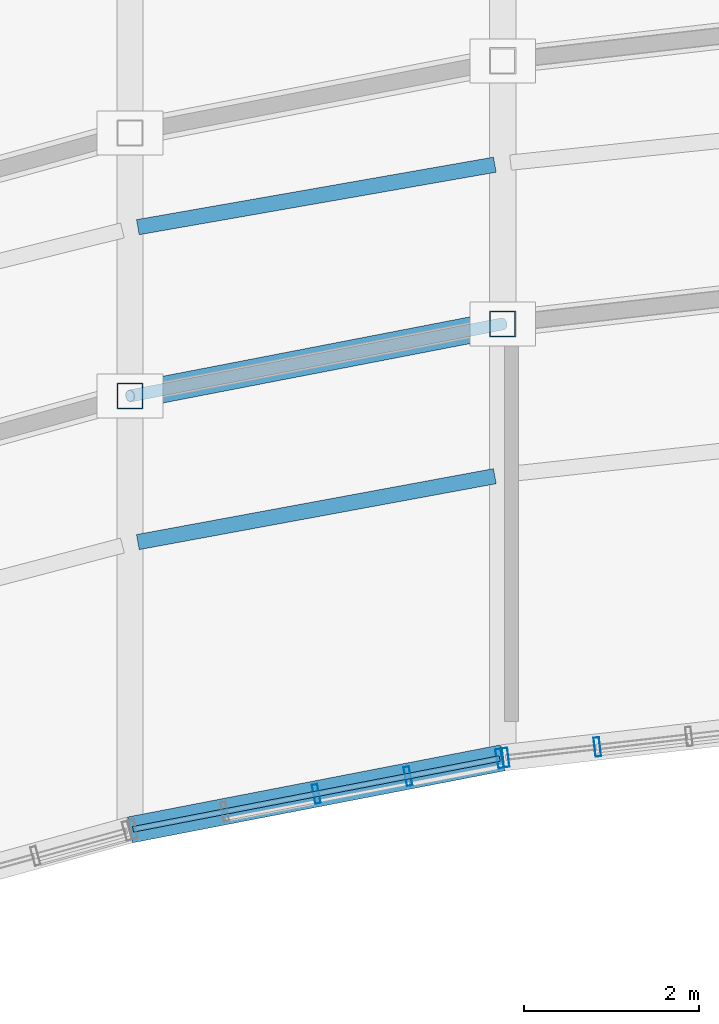
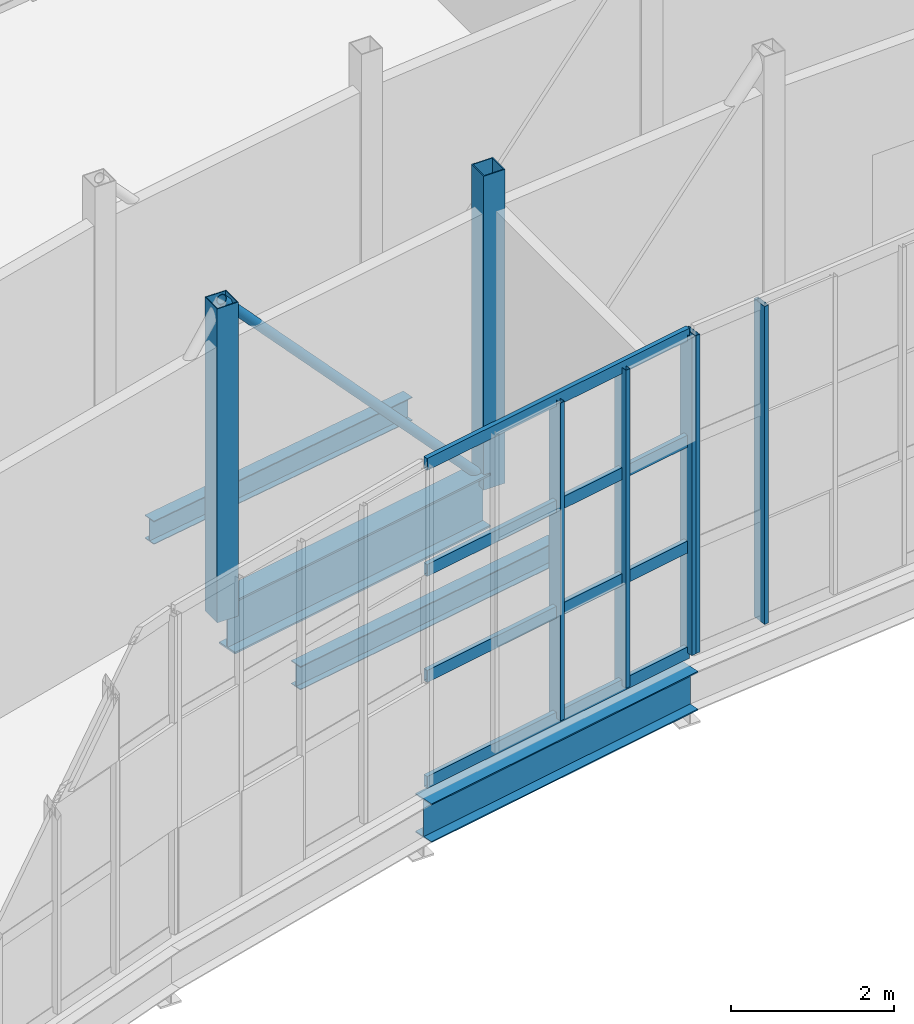
# One storey, part 36 of 86: 12 members, 4 beams, 2 elements without a shape of their own.
"""IFC4 building model written with IfcOpenShell, lengths in metres."""

from ifc_helpers import new_model, si_unit, direction, frame, origin, origin_2d, place, context, subcontext, project, spatial, hollow_rectangle, hollow_circle, i_section, extrude, material, material_profile, profile_set, type_object, element, aggregate, save


model = new_model("IFC4")

# Units and contexts
model_context = context("Model", 3, precision=1e-05, world=origin(), true_north=direction((0.0, 1.0)))
body_context = subcontext(model_context, "Body", "Model", "MODEL_VIEW")
ifc_project = project(units=[si_unit("LENGTHUNIT", "METRE"), si_unit("AREAUNIT", "SQUARE_METRE"), si_unit("VOLUMEUNIT", "CUBIC_METRE"), si_unit("PLANEANGLEUNIT", "RADIAN"), si_unit("MASSUNIT", "GRAM", prefix="KILO")], contexts=[model_context])

# Site, building, storey
site_placement = place(None, origin())
site = spatial("IfcSite", under=ifc_project, at=site_placement, CompositionType="ELEMENT")
building_placement = place(site_placement, origin())
building = spatial("IfcBuilding", under=site, at=building_placement, Name="Solvikara Media Centre", CompositionType="ELEMENT")
storey_placement = place(building_placement, frame((0.0, 0.0, 15.0)))
storey = spatial("IfcBuildingStorey", under=building, at=storey_placement, Name="L03", CompositionType="ELEMENT", Elevation=15.0)

# Beams
ifc_material_1 = material(Name="Steel S355JR", Category="steel")
ifc_material_profile_1 = material_profile(ifc_material_1, i_section(OverallWidth=0.300048828125, OverallDepth=0.800048828125, WebThickness=0.013916015625, FlangeThickness=0.02587890625, at=origin_2d()), Name="WF 800x300x14x26")
ifc_profile_set_1 = profile_set([ifc_material_profile_1], Name="Steel S355JR")
beam_type_1 = type_object("IfcBeamType", Name="BM-16", PredefinedType="BEAM", material=ifc_profile_set_1)
beam_1_placement = place(storey_placement, frame((89.337890625, 28.962890625, -0.6220703125), z_axis=(0.981801087979, 0.189912147171, 0.0), x_axis=(-0.189912147171, 0.981801087979, 0.0)))
element("IfcBeam", 1, at=beam_1_placement, inside=storey, type_object=beam_type_1, Name="B-L03-SPNS-03", PredefinedType="BEAM", context=body_context, shape_type="SweptSolid", body=[
    extrude(i_section(OverallWidth=0.300048828125, OverallDepth=0.800048828125, WebThickness=0.013916015625, FlangeThickness=0.02587890625, at=origin_2d()), origin(), (0.0, 0.0, 1.0), 4.149658203125),
])
ifc_material_profile_2 = material_profile(ifc_material_1, i_section(OverallWidth=0.175048828125, OverallDepth=0.35009765625, WebThickness=0.007080078125, FlangeThickness=0.010986328125, at=origin_2d()), Name="WF 350x175x7x11")
ifc_profile_set_2 = profile_set([ifc_material_profile_2], Name="Steel S355JR")
beam_type_2 = type_object("IfcBeamType", Name="BM-22", PredefinedType="JOIST", material=ifc_profile_set_2)
beam_2_placement = place(storey_placement, frame((89.339111328125, 27.279052734375, -0.39697265625), z_axis=(0.983371814175, 0.181603620797, 0.0), x_axis=(-0.181603620797, 0.983371814175, 0.0)))
element("IfcBeam", 2, at=beam_2_placement, inside=storey, type_object=beam_type_2, Name="BJ-L03-03-20", PredefinedType="JOIST", context=body_context, shape_type="SweptSolid", body=[
    extrude(i_section(OverallWidth=0.175048828125, OverallDepth=0.35009765625, WebThickness=0.007080078125, FlangeThickness=0.010986328125, at=origin_2d()), origin(), (0.0, 0.0, 1.0), 4.140625),
])
beam_3_placement = place(storey_placement, frame((89.339111328125, 30.87109375, -0.39697265625), z_axis=(0.985016925608, 0.172457694134, 0.0), x_axis=(-0.172457694134, 0.985016925608, 0.0)))
element("IfcBeam", 3, at=beam_3_placement, inside=storey, type_object=beam_type_2, Name="BJ-L03-03-42", PredefinedType="JOIST", context=body_context, shape_type="SweptSolid", body=[
    extrude(i_section(OverallWidth=0.175048828125, OverallDepth=0.35009765625, WebThickness=0.007080078125, FlangeThickness=0.010986328125, at=origin_2d()), origin(), (0.0, 0.0, 1.0), 4.1337890625),
])
ifc_material_profile_3 = material_profile(ifc_material_1, i_section(OverallWidth=0.300048828125, OverallDepth=0.58203125, WebThickness=0.011962890625, FlangeThickness=0.01708984375, at=origin_2d()), Name="WF 582x300x12x17")
ifc_profile_set_3 = profile_set([ifc_material_profile_3], Name="Steel S355JR")
beam_type_3 = type_object("IfcBeamType", Name="BM-31", PredefinedType="SPANDREL", material=ifc_profile_set_3)
beam_4_placement = place(storey_placement, frame((89.25, 23.99609375, -0.512939453125), z_axis=(0.981803941213, 0.189897396029, 0.0), x_axis=(-0.189897396029, 0.981803941213, 0.0)))
element("IfcBeam", 4, at=beam_4_placement, inside=storey, type_object=beam_type_3, Name="B-L03-SARC-03", PredefinedType="SPANDREL", context=body_context, shape_type="SweptSolid", body=[
    extrude(i_section(OverallWidth=0.300048828125, OverallDepth=0.58203125, WebThickness=0.011962890625, FlangeThickness=0.01708984375, at=origin_2d()), origin(), (0.0, 0.0, 1.0), 4.328857421875),
])

# Members
ifc_material_profile_4 = material_profile(ifc_material_1, hollow_circle(Radius=0.06982421875, WallThickness=0.00634765625, at=origin_2d()), Name="CHS 139.7x6.3")
ifc_profile_set_4 = profile_set([ifc_material_profile_4], Name="Steel S355JR")
member_type_1 = type_object("IfcMemberType", Name="MB-08", PredefinedType="BRACE", material=ifc_profile_set_4)
member_1_placement = place(storey_placement, frame((89.25, 28.946044921875, 4.25), z_axis=(0.665137067971, 0.128648696453, -0.735555704016), x_axis=(-0.189897396029, 0.981803941213, 0.0)))
element("IfcMember", 5, at=member_1_placement, inside=storey, type_object=member_type_1, Name="WTR-L03-S-DB03", PredefinedType="BRACE", context=body_context, shape_type="SweptSolid", body=[
    extrude(hollow_circle(Radius=0.06982421875, WallThickness=0.00634765625, at=origin_2d()), origin(), (0.0, 0.0, 1.0), 6.3896484375),
])
ifc_material_profile_5 = material_profile(ifc_material_1, hollow_rectangle(XDim=0.300048828125, YDim=0.300048828125, WallThickness=0.012451171875, at=origin_2d()), Name="RHS 300x300x12.5")
ifc_profile_set_5 = profile_set([ifc_material_profile_5], Name="Steel S355JR")
member_type_2 = type_object("IfcMemberType", Name="MB-11", PredefinedType="CHORD", material=ifc_profile_set_5)
for number, where, z_axis, x_axis, name in (
    (6, (89.25, 28.946044921875, -0.449951171875), (0.0, 0.0, 1.0), (1.0, 0.0, 0.0), "WTR-L03-S-V03"),
    (7, (93.5, 29.76806640625, -0.449951171875), (0.0, 0.0, 1.0), (1.0, 0.0, 0.0), "WTR-L03-S-V04"),
):
    element("IfcMember", number, at=place(storey_placement, frame(where, z_axis=z_axis, x_axis=x_axis)), inside=storey, type_object=member_type_2, Name=name, PredefinedType="CHORD", context=body_context, shape_type="SweptSolid", body=[
        extrude(hollow_rectangle(XDim=0.300048828125, YDim=0.300048828125, WallThickness=0.012451171875, at=origin_2d()), origin(), (0.0, 0.0, 1.0), 4.699951171875),
    ])

# Curtain wall, members
ifc_material_2 = material(Name="Anodised aluminium EN AW-6063", Category="aluminium")
curtain_wall_type = type_object("IfcCurtainWallType", Name="CW-01", PredefinedType="NOTDEFINED", material=ifc_material_2)
curtain_wall_1_placement = place(storey_placement, origin())
curtain_wall_1 = element("IfcCurtainWall", 8, at=curtain_wall_1_placement, inside=storey, type_object=curtain_wall_type, Name="CW-L03-SARC-03", PredefinedType="NOTDEFINED")
ifc_material_profile_6 = material_profile(ifc_material_2, hollow_rectangle(XDim=0.06494140625, YDim=0.219970703125, WallThickness=0.00390625, at=origin_2d()), Name="ALU-M 65x220x4")
ifc_profile_set_6 = profile_set([ifc_material_profile_6], Name="Anodised aluminium EN AW-6063")
member_type_3 = type_object("IfcMemberType", Name="MF-01", PredefinedType="MULLION", material=ifc_profile_set_6)
member_2_placement = place(storey_placement, frame((91.375, 24.406982421875, 0.02001953125), z_axis=(0.0, 0.0, 1.0), x_axis=(0.981843017659, 0.189695252114, 0.0)))
member_2 = element("IfcMember", 9, at=member_2_placement, type_object=member_type_3, Name="CW-L03-SARC-03-M02", PredefinedType="MULLION", context=body_context, shape_type="SweptSolid", body=[
    extrude(hollow_rectangle(XDim=0.06494140625, YDim=0.219970703125, WallThickness=0.00390625, at=origin_2d()), origin(), (0.0, 0.0, 1.0), 4.760009765625),
])
member_3_placement = place(storey_placement, frame((92.4208984375, 24.60888671875, 0.02001953125), z_axis=(0.0, 0.0, 1.0), x_axis=(0.981843017659, 0.189695252114, 0.0)))
member_3 = element("IfcMember", 10, at=member_3_placement, type_object=member_type_3, Name="CW-L03-SARC-03-M03", PredefinedType="MULLION", context=body_context, shape_type="SweptSolid", body=[
    extrude(hollow_rectangle(XDim=0.06494140625, YDim=0.219970703125, WallThickness=0.00390625, at=origin_2d()), origin(), (0.0, 0.0, 1.0), 4.760009765625),
])
member_4_placement = place(storey_placement, frame((93.466064453125, 24.81103515625, 0.02001953125), z_axis=(0.0, 0.0, 1.0), x_axis=(0.981843017659, 0.189695252114, 0.0)))
member_4 = element("IfcMember", 11, at=member_4_placement, type_object=member_type_3, Name="CW-L03-SARC-03-M04", PredefinedType="MULLION", context=body_context, shape_type="SweptSolid", body=[
    extrude(hollow_rectangle(XDim=0.06494140625, YDim=0.219970703125, WallThickness=0.00390625, at=origin_2d()), origin(), (0.0, 0.0, 1.0), 4.760009765625),
])

curtain_wall_2_placement = place(storey_placement, origin())
curtain_wall_2 = element("IfcCurtainWall", 12, at=curtain_wall_2_placement, inside=storey, type_object=curtain_wall_type, Name="CW-L03-SARC-04", PredefinedType="NOTDEFINED")
member_5_placement = place(storey_placement, frame((93.534912109375, 24.822021484375, 0.02001953125), z_axis=(0.0, 0.0, 1.0), x_axis=(0.993498545066, 0.113844810828, 0.0)))
member_5 = element("IfcMember", 13, at=member_5_placement, type_object=member_type_3, Name="CW-L03-SARC-04-M00", PredefinedType="MULLION", context=body_context, shape_type="SweptSolid", body=[
    extrude(hollow_rectangle(XDim=0.06494140625, YDim=0.219970703125, WallThickness=0.00390625, at=origin_2d()), origin(), (0.0, 0.0, 1.0), 4.760009765625),
])
member_6_placement = place(storey_placement, frame((94.580078125, 24.94189453125, 0.02001953125), z_axis=(0.0, 0.0, 1.0), x_axis=(0.993498545066, 0.113844810828, 0.0)))
member_6 = element("IfcMember", 14, at=member_6_placement, type_object=member_type_3, Name="CW-L03-SARC-04-M01", PredefinedType="MULLION", context=body_context, shape_type="SweptSolid", body=[
    extrude(hollow_rectangle(XDim=0.06494140625, YDim=0.219970703125, WallThickness=0.00390625, at=origin_2d()), origin(), (0.0, 0.0, 1.0), 4.760009765625),
])
aggregate(curtain_wall_2, [member_5, member_6])

# Member
ifc_material_profile_7 = material_profile(ifc_material_2, hollow_rectangle(XDim=0.06494140625, YDim=0.179931640625, WallThickness=0.00341796875, at=origin_2d()), Name="ALU-T 65x180x3.5")
ifc_profile_set_7 = profile_set([ifc_material_profile_7], Name="Anodised aluminium EN AW-6063")
member_type_4 = type_object("IfcMemberType", Name="MF-07", PredefinedType="USERDEFINED", material=ifc_profile_set_7)
member_7_placement = place(storey_placement, frame((89.283935546875, 24.0029296875, 0.02001953125), z_axis=(0.981838442996, 0.189718928565, 0.0), x_axis=(-0.189718928565, 0.981838442996, 0.0)))
member_7 = element("IfcMember", 15, at=member_7_placement, type_object=member_type_4, Name="CW-L03-SARC-03-T00", ObjectType="TRANSOM", PredefinedType="USERDEFINED", context=body_context, shape_type="SweptSolid", body=[
    extrude(hollow_rectangle(XDim=0.06494140625, YDim=0.179931640625, WallThickness=0.00341796875, at=origin_2d()), origin(), (0.0, 0.0, 1.0), 4.259521484375),
])

member_8_placement = place(storey_placement, frame((89.283935546875, 24.0029296875, 1.60693359375), z_axis=(0.981838442996, 0.189718928565, 0.0), x_axis=(-0.189718928565, 0.981838442996, 0.0)))
member_8 = element("IfcMember", 16, at=member_8_placement, type_object=member_type_4, Name="CW-L03-SARC-03-T01", ObjectType="TRANSOM", PredefinedType="USERDEFINED", context=body_context, shape_type="SweptSolid", body=[
    extrude(hollow_rectangle(XDim=0.06494140625, YDim=0.179931640625, WallThickness=0.00341796875, at=origin_2d()), origin(), (0.0, 0.0, 1.0), 4.259521484375),
])

member_9_placement = place(storey_placement, frame((89.283935546875, 24.0029296875, 3.193115234375), z_axis=(0.981838442996, 0.189718928565, 0.0), x_axis=(-0.189718928565, 0.981838442996, 0.0)))
member_9 = element("IfcMember", 17, at=member_9_placement, type_object=member_type_4, Name="CW-L03-SARC-03-T02", ObjectType="TRANSOM", PredefinedType="USERDEFINED", context=body_context, shape_type="SweptSolid", body=[
    extrude(hollow_rectangle(XDim=0.06494140625, YDim=0.179931640625, WallThickness=0.00341796875, at=origin_2d()), origin(), (0.0, 0.0, 1.0), 4.259521484375),
])

member_10_placement = place(storey_placement, frame((89.283935546875, 24.0029296875, 4.780029296875), z_axis=(0.981838442996, 0.189718928565, 0.0), x_axis=(-0.189718928565, 0.981838442996, 0.0)))
member_10 = element("IfcMember", 18, at=member_10_placement, type_object=member_type_4, Name="CW-L03-SARC-03-T03", ObjectType="TRANSOM", PredefinedType="USERDEFINED", context=body_context, shape_type="SweptSolid", body=[
    extrude(hollow_rectangle(XDim=0.06494140625, YDim=0.179931640625, WallThickness=0.00341796875, at=origin_2d()), origin(), (0.0, 0.0, 1.0), 4.259521484375),
])

aggregate(curtain_wall_1, [member_2, member_3, member_4, member_7, member_8, member_9, member_10])

save(model, "model.ifc")
